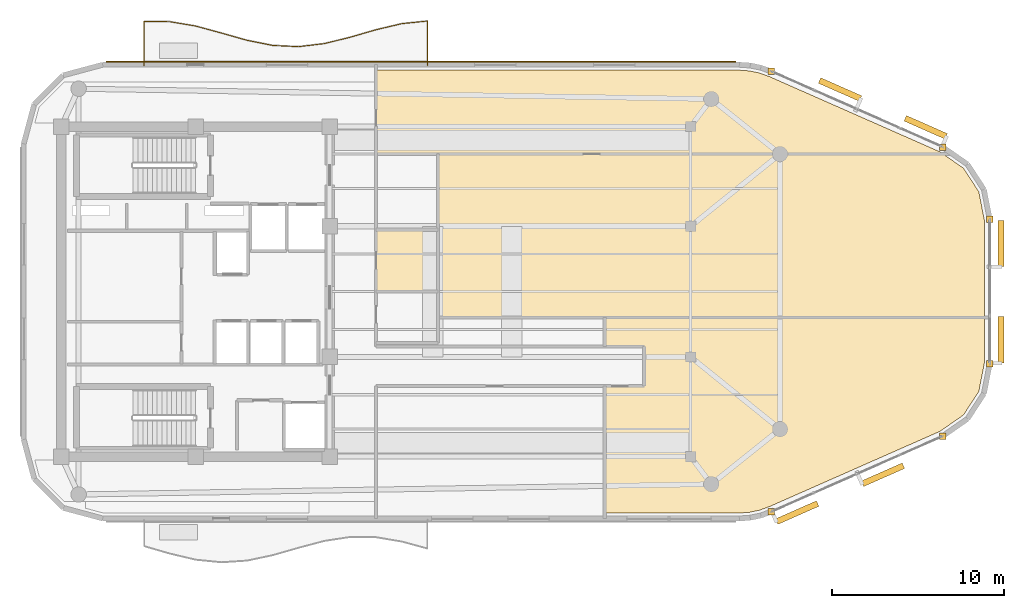
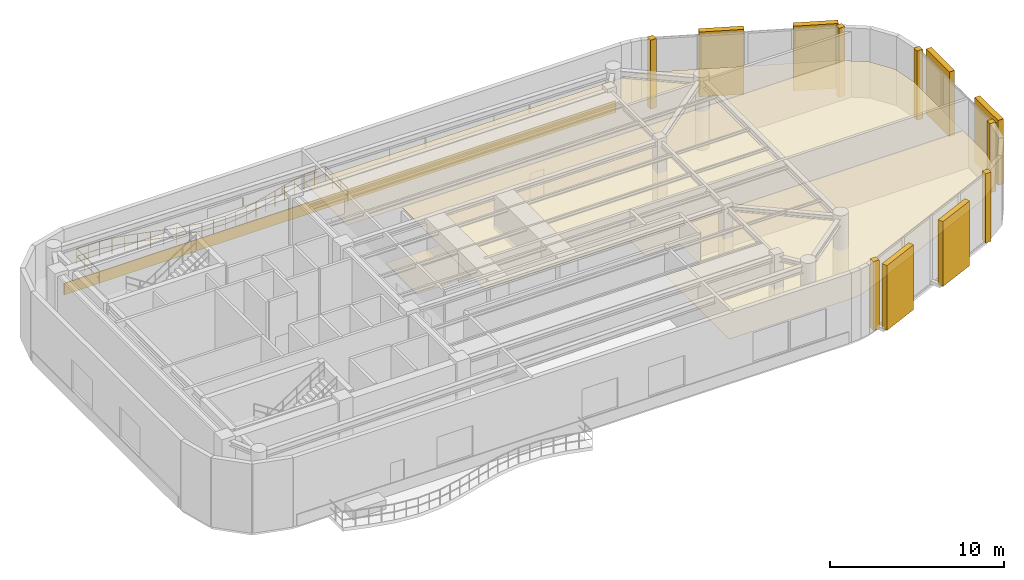
# One storey, part 12 of 12: 11 coverings, 6 shading devices, 1 railing.
"""IFC4 building model written with IfcOpenShell, lengths in metres."""

from ifc_helpers import new_model, si_unit, direction, frame, origin, origin_2d, place, context, subcontext, project, spatial, polyline, rectangle, circle, outline, extrude, material, layer, layer_set, type_object, element, save


model = new_model("IFC4")

# Units and contexts
model_context = context("Model", 3, precision=1e-05, world=origin(), true_north=direction((0.0, 1.0)))
body_context = subcontext(model_context, "Body", "Model", "MODEL_VIEW")
ifc_project = project(units=[si_unit("LENGTHUNIT", "METRE"), si_unit("AREAUNIT", "SQUARE_METRE"), si_unit("VOLUMEUNIT", "CUBIC_METRE"), si_unit("PLANEANGLEUNIT", "RADIAN"), si_unit("MASSUNIT", "GRAM", prefix="KILO")], contexts=[model_context])

# Site, building, storey
site_placement = place(None, origin())
site = spatial("IfcSite", under=ifc_project, at=site_placement, CompositionType="ELEMENT")
building_placement = place(site_placement, origin())
building = spatial("IfcBuilding", under=site, at=building_placement, Name="An Khanh Terracotta Commons", CompositionType="ELEMENT")
storey_placement = place(building_placement, frame((0.0, 0.0, 295.300048828125)))
storey = spatial("IfcBuildingStorey", under=building, at=storey_placement, Name="L77", CompositionType="ELEMENT", Elevation=295.300048828125)

# Coverings
ifc_material_1 = material(Name="Perforated Mineral-Fibre Acoustic Tile")
ifc_layer_1 = layer(ifc_material_1, 0.02001953125, Name="Perforated Mineral-Fibre Acoustic Tile")
ifc_layer_set_1 = layer_set([ifc_layer_1], Name="Perforated Mineral-Fibre Acoustic Tile")
covering_type_1 = type_object("IfcCoveringType", Name="CEIL-ACOUSTIC-18", PredefinedType="CEILING", material=ifc_layer_set_1)
covering_1_placement = place(storey_placement, frame((0.0, 0.0, 2.64990234375)))
element("IfcCovering", 1, at=covering_1_placement, inside=storey, type_object=covering_type_1, Name="L77 Sky Lobby Public Restrooms Ceiling", PredefinedType="CEILING", context=body_context, shape_type="SweptSolid", body=[
    extrude(outline(polyline([(39.89990234375, 27.60009765625), (43.5, 27.60009765625), (43.5, 24.0), (39.89990234375, 24.0), (39.89990234375, 27.60009765625)])), origin(), (0.0, 0.0, 1.0), 0.02001953125),
])
covering_2_placement = place(storey_placement, frame((0.0, 0.0, 2.64990234375)))
element("IfcCovering", 2, at=covering_2_placement, inside=storey, type_object=covering_type_1, Name="L77 Summit Banquet Hall Ceiling", PredefinedType="CEILING", context=body_context, shape_type="SweptSolid", body=[
    extrude(outline(polyline([(74.068115234375, 31.177978515625), (74.9609375, 29.80810546875), (75.280029296875, 28.1708984375), (75.280029296875, 22.5), (43.5, 22.5), (43.5, 27.60009765625), (43.5, 32.0), (72.885986328125, 32.0), (74.068115234375, 31.177978515625)])), origin(), (0.0, 0.0, 1.0), 0.02001953125),
])
covering_3_placement = place(storey_placement, frame((0.0, 0.0, 2.64990234375)))
element("IfcCovering", 3, at=covering_3_placement, inside=storey, type_object=covering_type_1, Name="L77 Summit Riverfront Dining Hall Ceiling", PredefinedType="CEILING", context=body_context, shape_type="SweptSolid", body=[
    extrude(outline(polyline([(61.01904296875, 36.8798828125), (61.62109375, 36.837890625), (62.199951171875, 36.716064453125), (62.76806640625, 36.511962890625), (72.699951171875, 32.1298828125), (72.885986328125, 32.0), (39.89990234375, 32.0), (39.89990234375, 33.800048828125), (39.89990234375, 35.800048828125), (39.89990234375, 36.199951171875), (39.89990234375, 36.8798828125), (61.01904296875, 36.8798828125)])), origin(), (0.0, 0.0, 1.0), 0.02001953125),
])
covering_4_placement = place(storey_placement, frame((0.0, 0.0, 2.64990234375)))
element("IfcCovering", 4, at=covering_4_placement, inside=storey, type_object=covering_type_1, Name="L77 Residents Sky Forum Hall Ceiling", PredefinedType="CEILING", context=body_context, shape_type="SweptSolid", body=[
    extrude(outline(polyline([(75.280029296875, 19.8291015625), (74.9609375, 18.19189453125), (74.068115234375, 16.822021484375), (72.699951171875, 15.8701171875), (62.76806640625, 11.488037109375), (62.199951171875, 11.283935546875), (61.62109375, 11.162109375), (61.01904296875, 11.1201171875), (53.199951171875, 11.1201171875), (53.199951171875, 18.5), (55.5, 18.5), (55.5, 20.800048828125), (53.199951171875, 20.800048828125), (53.199951171875, 22.5), (75.280029296875, 22.5), (75.280029296875, 19.8291015625)])), origin(), (0.0, 0.0, 1.0), 0.02001953125),
])
ifc_material_2 = material(Name="Fired Terracotta Rainscreen Cladding", Category="masonry")
ifc_layer_2 = layer(ifc_material_2, 0.080078125, Name="Fired Terracotta Rainscreen Cladding")
ifc_layer_set_2 = layer_set([ifc_layer_2], Name="Fired Terracotta Rainscreen Cladding")
covering_type_2 = type_object("IfcCoveringType", Name="COV-JAMB-TERRA", PredefinedType="CLADDING", material=ifc_layer_set_2)
for number, where, z_axis, x_axis, name in (
    (5, (62.886962890625, 11.19091796875, 0.0), (0.0, 0.0, 1.0), (1.0, 0.0, 0.0), "L77 CW-04 Curtain-Wall Jamb Closure JA"),
    (6, (72.85693359375, 15.590087890625, 0.0), (0.0, 0.0, 1.0), (1.0, 0.0, 0.0), "L77 CW-04 Curtain-Wall Jamb Closure JB"),
    (7, (75.60009765625, 19.798095703125, 0.0), (0.0, 0.0, 1.0), (1.0, 0.0, 0.0), "L77 CW-04 Curtain-Wall Jamb Closure JA"),
    (8, (75.60009765625, 28.201904296875, 0.0), (0.0, 0.0, 1.0), (1.0, 0.0, 0.0), "L77 CW-04 Curtain-Wall Jamb Closure JB"),
    (9, (72.85693359375, 32.409912109375, 0.0), (0.0, 0.0, 1.0), (1.0, 0.0, 0.0), "L77 CW-04 Curtain-Wall Jamb Closure JA"),
    (10, (62.886962890625, 36.80908203125, 0.0), (0.0, 0.0, 1.0), (1.0, 0.0, 0.0), "L77 CW-04 Curtain-Wall Jamb Closure JB"),
):
    element("IfcCovering", number, at=place(storey_placement, frame(where, z_axis=z_axis, x_axis=x_axis)), inside=storey, type_object=covering_type_2, Name=name, PredefinedType="CLADDING", context=body_context, shape_type="SweptSolid", body=[
        extrude(rectangle(XDim=0.3798828125, YDim=0.3798828125, at=origin_2d()), origin(), (0.0, 0.0, 1.0), 4.85009765625),
    ])
ifc_layer_3 = layer(ifc_material_2, 0.06005859375, Name="Fired Terracotta Rainscreen Cladding")
ifc_layer_set_3 = layer_set([ifc_layer_3], Name="Fired Terracotta Rainscreen Cladding")
covering_type_3 = type_object("IfcCoveringType", Name="COV-SPANDREL-TERRA", PredefinedType="CLADDING", material=ifc_layer_set_3)
covering_5_placement = place(storey_placement, frame((42.514892578125, 37.3798828125, 0.02001953125), z_axis=(0.0, 0.0, 1.0), x_axis=(-1.0, 0.0, 0.0)))
element("IfcCovering", 11, at=covering_5_placement, inside=storey, type_object=covering_type_3, Name="L77 Terracotta Spandrel Cladding 20", PredefinedType="CLADDING", context=body_context, shape_type="SweptSolid", body=[
    extrude(rectangle(XDim=36.6298828125, YDim=0.06005859375, at=origin_2d()), origin(), (0.0, 0.0, 1.0), 0.800048828125),
])

# Railing
ifc_material_3 = material(Name="Brushed Stainless Steel 316", Category="steel")
railing_type = type_object("IfcRailingType", Name="RAIL-BALUSTRADE-1100", PredefinedType="BALUSTRADE", material=ifc_material_3)
railing_placement = place(storey_placement, frame((42.89990234375, 37.139892578125, 0.0)))
element("IfcRailing", 12, at=railing_placement, inside=storey, type_object=railing_type, Name="L77 N Wave Balcony Guard Balustrade", PredefinedType="BALUSTRADE", context=body_context, shape_type="SweptSolid", body=[
    extrude(circle(Radius=0.02392578125, at=origin_2d()), frame((0.0, 0.0, 1.076171875), z_axis=(0.0, 1.0, 0.0), x_axis=(-1.0, 0.0, 0.0)), (0.0, 0.0, 1.0), 2.59814453125),
    extrude(circle(Radius=0.02392578125, at=origin_2d()), frame((0.0, 0.0, 0.52587890625), z_axis=(0.0, 1.0, 0.0), x_axis=(-1.0, 0.0, 0.0)), (0.0, 0.0, 1.0), 2.59814453125),
    extrude(circle(Radius=0.02392578125, at=origin_2d()), frame((0.0, 2.59814453125, 1.076171875), z_axis=(-0.994833141332, -0.101523499286, 0.0), x_axis=(0.101523499286, -0.994833141332, 0.0)), (0.0, 0.0, 1.0), 1.5078125),
    extrude(circle(Radius=0.02392578125, at=origin_2d()), frame((0.0, 2.59814453125, 0.52587890625), z_axis=(-0.994833141332, -0.101523499286, 0.0), x_axis=(0.101523499286, -0.994833141332, 0.0)), (0.0, 0.0, 1.0), 1.5078125),
    extrude(circle(Radius=0.02392578125, at=origin_2d()), frame((-1.5, 2.445068359375, 1.076171875), z_axis=(-0.973263214687, -0.229692653206, 0.0), x_axis=(0.229692653206, -0.973263214687, 0.0)), (0.0, 0.0, 1.0), 1.541259765625),
    extrude(circle(Radius=0.02392578125, at=origin_2d()), frame((-1.5, 2.445068359375, 0.52587890625), z_axis=(-0.973263214687, -0.229692653206, 0.0), x_axis=(0.229692653206, -0.973263214687, 0.0)), (0.0, 0.0, 1.0), 1.541259765625),
    extrude(circle(Radius=0.02392578125, at=origin_2d()), frame((-3.0, 2.091064453125, 1.076171875), z_axis=(-0.960419102414, -0.278559056071, 0.0), x_axis=(0.278559056071, -0.960419102414, 0.0)), (0.0, 0.0, 1.0), 1.561767578125),
    extrude(circle(Radius=0.02392578125, at=origin_2d()), frame((-3.0, 2.091064453125, 0.52587890625), z_axis=(-0.960419102414, -0.278559056071, 0.0), x_axis=(0.278559056071, -0.960419102414, 0.0)), (0.0, 0.0, 1.0), 1.561767578125),
    extrude(circle(Radius=0.02392578125, at=origin_2d()), frame((-4.5, 1.656005859375, 1.076171875), z_axis=(-0.970918311966, -0.239411009542, 0.0), x_axis=(0.239411009542, -0.970918311966, 0.0)), (0.0, 0.0, 1.0), 1.544921875),
    extrude(circle(Radius=0.02392578125, at=origin_2d()), frame((-4.5, 1.656005859375, 0.52587890625), z_axis=(-0.970918311966, -0.239411009542, 0.0), x_axis=(0.239411009542, -0.970918311966, 0.0)), (0.0, 0.0, 1.0), 1.544921875),
    extrude(circle(Radius=0.02392578125, at=origin_2d()), frame((-6.0, 1.2861328125, 1.076171875), z_axis=(-0.99288219023, -0.11910061429, 0.0), x_axis=(0.11910061429, -0.99288219023, 0.0)), (0.0, 0.0, 1.0), 1.5107421875),
    extrude(circle(Radius=0.02392578125, at=origin_2d()), frame((-6.0, 1.2861328125, 0.52587890625), z_axis=(-0.99288219023, -0.11910061429, 0.0), x_axis=(0.11910061429, -0.99288219023, 0.0)), (0.0, 0.0, 1.0), 1.5107421875),
    extrude(circle(Radius=0.02392578125, at=origin_2d()), frame((-7.5, 1.106201171875, 1.076171875), z_axis=(-0.998887913276, 0.047148029761, 0.0), x_axis=(-0.047148029761, -0.998887913276, 0.0)), (0.0, 0.0, 1.0), 1.501708984375),
    extrude(circle(Radius=0.02392578125, at=origin_2d()), frame((-7.5, 1.106201171875, 0.52587890625), z_axis=(-0.998887913276, 0.047148029761, 0.0), x_axis=(-0.047148029761, -0.998887913276, 0.0)), (0.0, 0.0, 1.0), 1.501708984375),
    extrude(circle(Radius=0.02392578125, at=origin_2d()), frame((-9.0, 1.177001953125, 1.076171875), z_axis=(-0.980819402607, 0.194918699639, 0.0), x_axis=(-0.194918699639, -0.980819402607, 0.0)), (0.0, 0.0, 1.0), 1.529296875),
    extrude(circle(Radius=0.02392578125, at=origin_2d()), frame((-9.0, 1.177001953125, 0.52587890625), z_axis=(-0.980819402607, 0.194918699639, 0.0), x_axis=(-0.194918699639, -0.980819402607, 0.0)), (0.0, 0.0, 1.0), 1.529296875),
    extrude(circle(Radius=0.02392578125, at=origin_2d()), frame((-10.5, 1.47509765625, 1.076171875), z_axis=(-0.962282666556, 0.272051593719, 0.0), x_axis=(-0.272051593719, -0.962282666556, 0.0)), (0.0, 0.0, 1.0), 1.558837890625),
    extrude(circle(Radius=0.02392578125, at=origin_2d()), frame((-10.5, 1.47509765625, 0.52587890625), z_axis=(-0.962282666556, 0.272051593719, 0.0), x_axis=(-0.272051593719, -0.962282666556, 0.0)), (0.0, 0.0, 1.0), 1.558837890625),
    extrude(circle(Radius=0.02392578125, at=origin_2d()), frame((-12.0, 1.899169921875, 1.076171875), z_axis=(-0.964948425307, 0.262439586375, 0.0), x_axis=(-0.262439586375, -0.964948425307, 0.0)), (0.0, 0.0, 1.0), 1.554443359375),
    extrude(circle(Radius=0.02392578125, at=origin_2d()), frame((-12.0, 1.899169921875, 0.52587890625), z_axis=(-0.964948425307, 0.262439586375, 0.0), x_axis=(-0.262439586375, -0.964948425307, 0.0)), (0.0, 0.0, 1.0), 1.554443359375),
    extrude(circle(Radius=0.02392578125, at=origin_2d()), frame((-13.5, 2.30712890625, 1.076171875), z_axis=(-0.986079829755, 0.16627257546, 0.0), x_axis=(-0.16627257546, -0.986079829755, 0.0)), (0.0, 0.0, 1.0), 1.521240234375),
    extrude(circle(Radius=0.02392578125, at=origin_2d()), frame((-13.5, 2.30712890625, 0.52587890625), z_axis=(-0.986079829755, 0.16627257546, 0.0), x_axis=(-0.16627257546, -0.986079829755, 0.0)), (0.0, 0.0, 1.0), 1.521240234375),
    extrude(circle(Radius=0.02392578125, at=origin_2d()), frame((-15.0, 2.56005859375, 1.076171875), z_axis=(-0.999955445195, 0.009439683565, 0.0), x_axis=(-0.009439683565, -0.999955445195, 0.0)), (0.0, 0.0, 1.0), 1.5),
    extrude(circle(Radius=0.02392578125, at=origin_2d()), frame((-15.0, 2.56005859375, 0.52587890625), z_axis=(-0.999955445195, 0.009439683565, 0.0), x_axis=(-0.009439683565, -0.999955445195, 0.0)), (0.0, 0.0, 1.0), 1.5),
    extrude(circle(Radius=0.02392578125, at=origin_2d()), frame((-16.5, 2.57421875, 1.076171875), z_axis=(0.0, -1.0, 0.0), x_axis=(1.0, 0.0, 0.0)), (0.0, 0.0, 1.0), 2.57421875),
    extrude(circle(Radius=0.02392578125, at=origin_2d()), frame((-16.5, 2.57421875, 0.52587890625), z_axis=(0.0, -1.0, 0.0), x_axis=(1.0, 0.0, 0.0)), (0.0, 0.0, 1.0), 2.57421875),
    extrude(circle(Radius=0.02099609375, at=origin_2d()), origin(), (0.0, 0.0, 1.0), 1.052001953125),
    extrude(circle(Radius=0.02099609375, at=origin_2d()), frame((0.0, 0.865966796875, 0.0)), (0.0, 0.0, 1.0), 1.052001953125),
    extrude(circle(Radius=0.02099609375, at=origin_2d()), frame((0.0, 1.732177734375, 0.0)), (0.0, 0.0, 1.0), 1.052001953125),
    extrude(circle(Radius=0.02099609375, at=origin_2d()), frame((0.0, 2.59814453125, 0.0)), (0.0, 0.0, 1.0), 1.052001953125),
    extrude(circle(Radius=0.02099609375, at=origin_2d()), frame((-0.75, 2.521484375, 0.0)), (0.0, 0.0, 1.0), 1.052001953125),
    extrude(circle(Radius=0.02099609375, at=origin_2d()), frame((-1.5, 2.445068359375, 0.0)), (0.0, 0.0, 1.0), 1.052001953125),
    extrude(circle(Radius=0.02099609375, at=origin_2d()), frame((-2.25, 2.26806640625, 0.0)), (0.0, 0.0, 1.0), 1.052001953125),
    extrude(circle(Radius=0.02099609375, at=origin_2d()), frame((-3.0, 2.091064453125, 0.0)), (0.0, 0.0, 1.0), 1.052001953125),
    extrude(circle(Radius=0.02099609375, at=origin_2d()), frame((-3.75, 1.87353515625, 0.0)), (0.0, 0.0, 1.0), 1.052001953125),
    extrude(circle(Radius=0.02099609375, at=origin_2d()), frame((-4.5, 1.656005859375, 0.0)), (0.0, 0.0, 1.0), 1.052001953125),
    extrude(circle(Radius=0.02099609375, at=origin_2d()), frame((-5.25, 1.47119140625, 0.0)), (0.0, 0.0, 1.0), 1.052001953125),
    extrude(circle(Radius=0.02099609375, at=origin_2d()), frame((-6.0, 1.2861328125, 0.0)), (0.0, 0.0, 1.0), 1.052001953125),
    extrude(circle(Radius=0.02099609375, at=origin_2d()), frame((-6.75, 1.1962890625, 0.0)), (0.0, 0.0, 1.0), 1.052001953125),
    extrude(circle(Radius=0.02099609375, at=origin_2d()), frame((-7.5, 1.106201171875, 0.0)), (0.0, 0.0, 1.0), 1.052001953125),
    extrude(circle(Radius=0.02099609375, at=origin_2d()), frame((-8.25, 1.1416015625, 0.0)), (0.0, 0.0, 1.0), 1.052001953125),
    extrude(circle(Radius=0.02099609375, at=origin_2d()), frame((-9.0, 1.177001953125, 0.0)), (0.0, 0.0, 1.0), 1.052001953125),
    extrude(circle(Radius=0.02099609375, at=origin_2d()), frame((-9.75, 1.326171875, 0.0)), (0.0, 0.0, 1.0), 1.052001953125),
    extrude(circle(Radius=0.02099609375, at=origin_2d()), frame((-10.5, 1.47509765625, 0.0)), (0.0, 0.0, 1.0), 1.052001953125),
    extrude(circle(Radius=0.02099609375, at=origin_2d()), frame((-11.25, 1.68701171875, 0.0)), (0.0, 0.0, 1.0), 1.052001953125),
    extrude(circle(Radius=0.02099609375, at=origin_2d()), frame((-12.0, 1.899169921875, 0.0)), (0.0, 0.0, 1.0), 1.052001953125),
    extrude(circle(Radius=0.02099609375, at=origin_2d()), frame((-12.75, 2.10302734375, 0.0)), (0.0, 0.0, 1.0), 1.052001953125),
    extrude(circle(Radius=0.02099609375, at=origin_2d()), frame((-13.5, 2.30712890625, 0.0)), (0.0, 0.0, 1.0), 1.052001953125),
    extrude(circle(Radius=0.02099609375, at=origin_2d()), frame((-14.25, 2.43359375, 0.0)), (0.0, 0.0, 1.0), 1.052001953125),
    extrude(circle(Radius=0.02099609375, at=origin_2d()), frame((-15.0, 2.56005859375, 0.0)), (0.0, 0.0, 1.0), 1.052001953125),
    extrude(circle(Radius=0.02099609375, at=origin_2d()), frame((-15.75, 2.567138671875, 0.0)), (0.0, 0.0, 1.0), 1.052001953125),
    extrude(circle(Radius=0.02099609375, at=origin_2d()), frame((-16.5, 2.57421875, 0.0)), (0.0, 0.0, 1.0), 1.052001953125),
    extrude(circle(Radius=0.02099609375, at=origin_2d()), frame((-16.5, 1.716064453125, 0.0)), (0.0, 0.0, 1.0), 1.052001953125),
    extrude(circle(Radius=0.02099609375, at=origin_2d()), frame((-16.5, 0.858154296875, 0.0)), (0.0, 0.0, 1.0), 1.052001953125),
    extrude(circle(Radius=0.02099609375, at=origin_2d()), frame((-16.5, 0.0, 0.0)), (0.0, 0.0, 1.0), 1.052001953125),
])

# Shading devices
ifc_material_4 = material(Name="Extruded Fired Terracotta", Category="masonry")
shading_device_type = type_object("IfcShadingDeviceType", Name="Terracotta Baguette Screen Assembly", PredefinedType="USERDEFINED", material=ifc_material_4)
for number, where, z_axis, x_axis, name in (
    (13, (64.39599609375, 11.14599609375, 0.14990234375), (0.0, 0.0, 1.0), (0.914901853201, 0.403676354285, 0.0), "L77 Terracotta Baguette Screen 1"),
    (14, (69.381103515625, 13.345947265625, 0.14990234375), (0.0, 0.0, 1.0), (0.914901853201, 0.403676354285, 0.0), "L77 Terracotta Baguette Screen 3"),
):
    element("IfcShadingDevice", number, at=place(storey_placement, frame(where, z_axis=z_axis, x_axis=x_axis)), inside=storey, type_object=shading_device_type, Name=name, ObjectType="BAGUETTE", PredefinedType="USERDEFINED", context=body_context, shape_type="SweptSolid", body=[
        extrude(rectangle(XDim=2.60400390625, YDim=0.35009765625, at=origin_2d()), origin(), (0.0, 0.0, 1.0), 4.550048828125),
    ])
for number, where, z_axis, x_axis, name in (
    (15, (76.25, 21.198974609375, 0.14990234375), (0.0, 0.0, 1.0), (0.0, 1.0, 0.0), "L77 Terracotta Baguette Screen 1"),
    (16, (76.25, 26.801025390625, 0.14990234375), (0.0, 0.0, 1.0), (0.0, 1.0, 0.0), "L77 Terracotta Baguette Screen 3"),
):
    element("IfcShadingDevice", number, at=place(storey_placement, frame(where, z_axis=z_axis, x_axis=x_axis)), inside=storey, type_object=shading_device_type, Name=name, ObjectType="BAGUETTE", PredefinedType="USERDEFINED", context=body_context, shape_type="SweptSolid", body=[
        extrude(rectangle(XDim=2.680908203125, YDim=0.35009765625, at=origin_2d()), origin(), (0.0, 0.0, 1.0), 4.550048828125),
    ])
for number, where, z_axis, x_axis, name in (
    (17, (71.873046875, 33.554931640625, 0.14990234375), (0.0, 0.0, 1.0), (-0.914901853201, 0.403676354285, 0.0), "L77 Terracotta Baguette Screen 1"),
    (18, (66.887939453125, 35.75390625, 0.14990234375), (0.0, 0.0, 1.0), (-0.914901853201, 0.403676354285, 0.0), "L77 Terracotta Baguette Screen 3"),
):
    element("IfcShadingDevice", number, at=place(storey_placement, frame(where, z_axis=z_axis, x_axis=x_axis)), inside=storey, type_object=shading_device_type, Name=name, ObjectType="BAGUETTE", PredefinedType="USERDEFINED", context=body_context, shape_type="SweptSolid", body=[
        extrude(rectangle(XDim=2.60400390625, YDim=0.35009765625, at=origin_2d()), origin(), (0.0, 0.0, 1.0), 4.550048828125),
    ])

save(model, "model.ifc")
